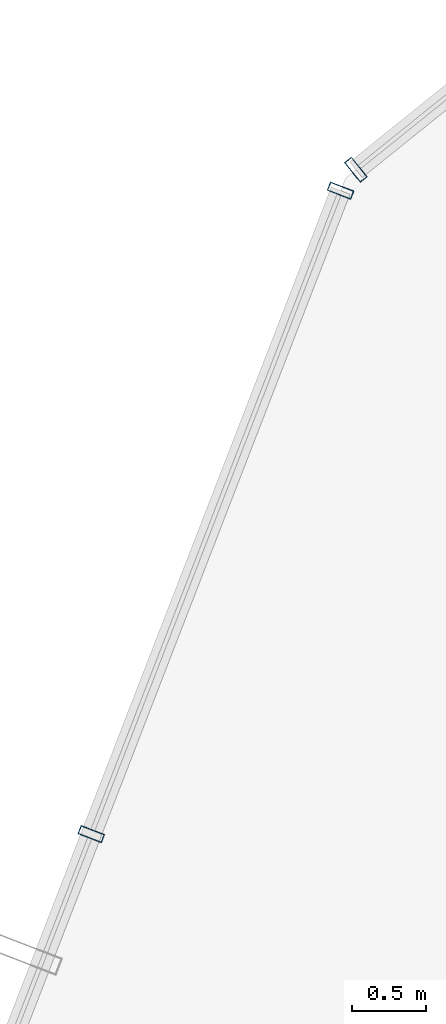
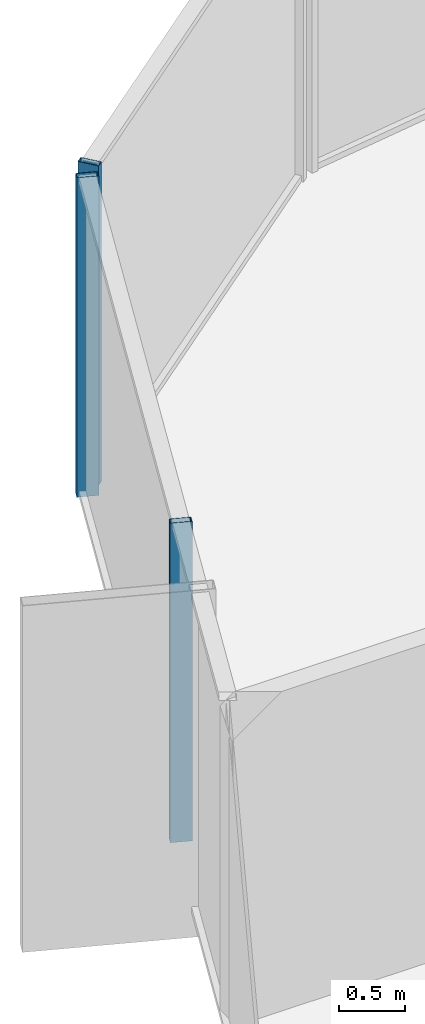
# One storey, part 21 of 37: 3 members, 2 elements without a shape of their own.
"""IFC4 building model written with IfcOpenShell, lengths in metres."""

from ifc_helpers import new_model, si_unit, direction, frame, origin, origin_2d, place, context, subcontext, project, spatial, hollow_rectangle, extrude, source, transform, mapped, material, layer, layer_set, material_profile, profile_set, type_object, element, aggregate, save


model = new_model("IFC4")

# Units and contexts
model_context = context("Model", 3, precision=1e-05, world=origin(), true_north=direction((0.0, 1.0)))
body_context = subcontext(model_context, "Body", "Model", "MODEL_VIEW")
ifc_project = project(units=[si_unit("LENGTHUNIT", "METRE"), si_unit("AREAUNIT", "SQUARE_METRE"), si_unit("VOLUMEUNIT", "CUBIC_METRE"), si_unit("PLANEANGLEUNIT", "RADIAN"), si_unit("MASSUNIT", "GRAM", prefix="KILO")], contexts=[model_context])

# Site, building, storey
site_placement = place(None, origin())
site = spatial("IfcSite", under=ifc_project, at=site_placement, CompositionType="ELEMENT")
building_placement = place(site_placement, origin())
building = spatial("IfcBuilding", under=site, at=building_placement, Name="Veraguas Prism Commons", CompositionType="ELEMENT")
storey_placement = place(building_placement, frame((0.0, 0.0, 53.300048828125)))
storey = spatial("IfcBuildingStorey", under=building, at=storey_placement, Name="L14", CompositionType="ELEMENT", Elevation=53.300048828125)

# Curtain wall, members
ifc_material = material(Name="Anodised aluminium EN AW-6063 T6", Category="aluminium")
ifc_layer = layer(ifc_material, 0.169921875, Name="Unitised Flush Curtain Wall Zone 1", Category="aluminium")
ifc_layer_set = layer_set([ifc_layer], Name="Anodised aluminium EN AW-6063 T6")
curtain_wall_type = type_object("IfcCurtainWallType", Name="Unitised Flush Curtain Wall Zone 1", PredefinedType="NOTDEFINED", material=ifc_layer_set)
curtain_wall_1_placement = place(storey_placement, origin())
curtain_wall_1 = element("IfcCurtainWall", 1, at=curtain_wall_1_placement, inside=storey, type_object=curtain_wall_type, Name="Tower Facade Curtain Wall L14-F3", PredefinedType="NOTDEFINED")
ifc_material_profile = material_profile(ifc_material, hollow_rectangle(XDim=0.06005859375, YDim=0.169921875, WallThickness=0.00390625, at=origin_2d()), Name="AL60X170X4")
ifc_profile_set = profile_set([ifc_material_profile], Name="Anodised aluminium EN AW-6063 T6")
member_type = type_object("IfcMemberType", Name="Curtain Wall Mullion Lower AL 60x170x4", PredefinedType="MULLION", material=ifc_profile_set)
shared_shape = source(origin(), body_context, "Body", "SweptSolid", [
    extrude(hollow_rectangle(XDim=0.06005859375, YDim=0.169921875, WallThickness=0.00390625, at=origin_2d()), origin(), (0.0, 0.0, 1.0), 2.969970703125),
])
member_1_placement = place(storey_placement, frame((7.983642578125, 40.1923828125, 0.0), z_axis=(0.0, 0.0, 1.0), x_axis=(-0.361294223355, -0.932451866946, 0.0)))
member_1 = element("IfcMember", 2, at=member_1_placement, type_object=member_type, Name="CW-Z1 Mullion 1", PredefinedType="MULLION", context=body_context, shape_type="MappedRepresentation", body=[
    mapped(shared_shape, transform((0.0, 0.0, 0.0), scale=1.0)),
])
member_2_placement = place(storey_placement, frame((6.306884765625, 35.864990234375, 0.0), z_axis=(0.0, 0.0, 1.0), x_axis=(-0.361294223355, -0.932451866946, 0.0)))
member_2 = element("IfcMember", 3, at=member_2_placement, type_object=member_type, Name="CW-Z1 Mullion 2", PredefinedType="MULLION", context=body_context, shape_type="MappedRepresentation", body=[
    mapped(shared_shape, transform((0.0, 0.0, 0.0), scale=1.0)),
])
aggregate(curtain_wall_1, [member_1, member_2])

# Curtain wall, member
curtain_wall_2_placement = place(storey_placement, origin())
curtain_wall_2 = element("IfcCurtainWall", 4, at=curtain_wall_2_placement, inside=storey, type_object=curtain_wall_type, Name="Chamfer Curtain Wall L14-C3", PredefinedType="NOTDEFINED")
member_3_placement = place(storey_placement, frame((8.08642578125, 40.332763671875, 0.0), z_axis=(0.0, 0.0, 1.0), x_axis=(-0.779125756049, -0.626867654502, 0.0)))
member_3 = element("IfcMember", 5, at=member_3_placement, type_object=member_type, Name="CW-Z1 Mullion 2", PredefinedType="MULLION", context=body_context, shape_type="MappedRepresentation", body=[
    mapped(shared_shape, transform((0.0, 0.0, 0.0), scale=1.0)),
])
aggregate(curtain_wall_2, [member_3])

save(model, "model.ifc")
